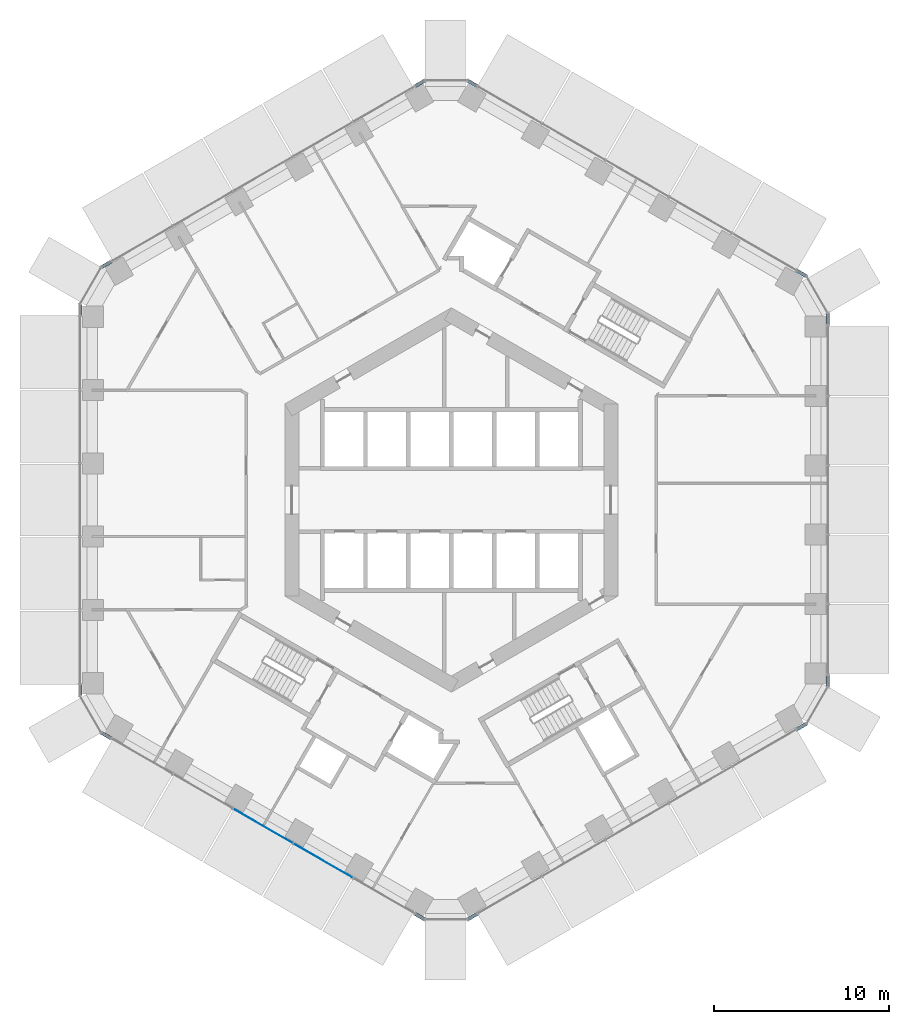
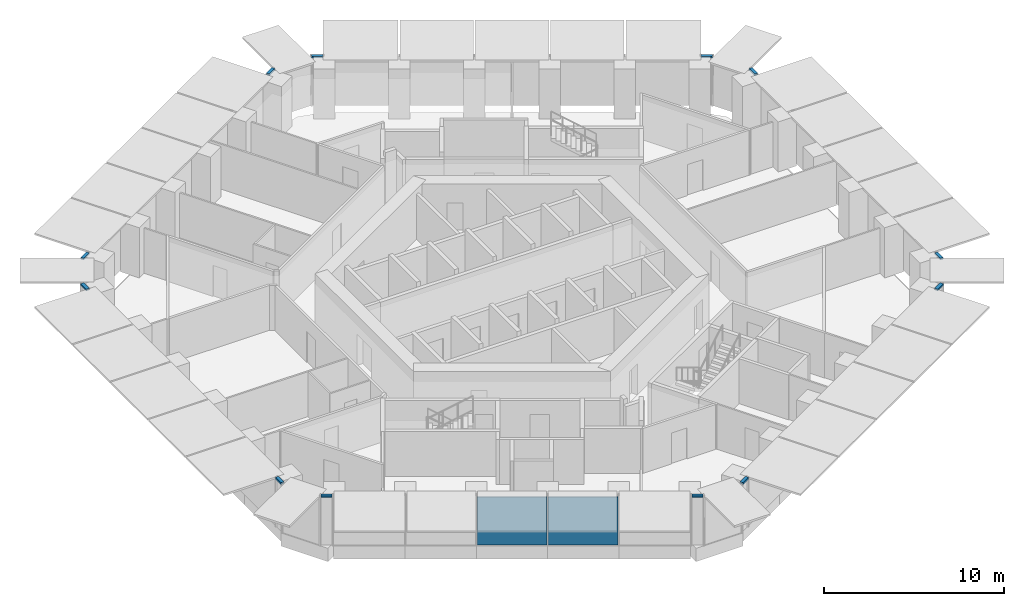
# One storey, part 7 of 19: 12 members, 2 plates, 7 elements without a shape of their own.
"""IFC4 building model written with IfcOpenShell, lengths in metres."""

from ifc_helpers import new_model, si_unit, direction, frame, origin, origin_2d, place, context, subcontext, project, spatial, rectangle, extrude, material, layer, layer_set, material_profile, profile_set, type_object, element, aggregate, save


model = new_model("IFC4")

# Units and contexts
model_context = context("Model", 3, precision=1e-05, world=origin(), true_north=direction((0.0, 1.0)))
body_context = subcontext(model_context, "Body", "Model", "MODEL_VIEW")
ifc_project = project(units=[si_unit("LENGTHUNIT", "METRE"), si_unit("AREAUNIT", "SQUARE_METRE"), si_unit("VOLUMEUNIT", "CUBIC_METRE"), si_unit("PLANEANGLEUNIT", "RADIAN"), si_unit("MASSUNIT", "GRAM", prefix="KILO")], contexts=[model_context])

# Site, building, storey
site_placement = place(None, origin())
site = spatial("IfcSite", under=ifc_project, at=site_placement, CompositionType="ELEMENT")
building_placement = place(site_placement, origin())
building = spatial("IfcBuilding", under=site, at=building_placement, Name="Ayvan Gate Tower", CompositionType="ELEMENT")
storey_placement = place(building_placement, frame((0.0, 0.0, 42.5)))
storey = spatial("IfcBuildingStorey", under=building, at=storey_placement, Name="L10", CompositionType="ELEMENT", Elevation=42.5)

# Curtain wall, members
ifc_material_1 = material(Name="Bronze anodised aluminium", Category="aluminium")
ifc_layer_1 = layer(ifc_material_1, 0.199951171875)
ifc_layer_set_1 = layer_set([ifc_layer_1], Name="Bronze anodised aluminium")
curtain_wall_type_1 = type_object("IfcCurtainWallType", Name="Stick curtain wall CW-6", PredefinedType="NOTDEFINED", material=ifc_layer_set_1)
curtain_wall_1_placement = place(storey_placement, origin())
curtain_wall_1 = element("IfcCurtainWall", 1, at=curtain_wall_1_placement, inside=storey, type_object=curtain_wall_type_1, Name="Stick curtain wall CW-6 L10", PredefinedType="NOTDEFINED")
ifc_material_profile = material_profile(ifc_material_1, rectangle(XDim=0.199951171875, YDim=0.1201171875, at=origin_2d()), Name="Stick curtain wall CW-6 transom 200 x 120")
ifc_profile_set = profile_set([ifc_material_profile], Name="Bronze anodised aluminium")
member_type = type_object("IfcMemberType", Name="Stick curtain wall CW-6 transom 200 x 120", PredefinedType="USERDEFINED", material=ifc_profile_set)
member_1_placement = place(storey_placement, frame((-19.417724609375, 13.597412109375, 3.340087890625), z_axis=(-0.866022959057, -0.500004234368, 0.0), x_axis=(0.500004234368, -0.866022959057, 0.0)))
member_1 = element("IfcMember", 2, at=member_1_placement, type_object=member_type, Name="CW-6 transom 1", ObjectType="TRANSOM", PredefinedType="USERDEFINED", context=body_context, shape_type="SweptSolid", body=[
    extrude(rectangle(XDim=0.199951171875, YDim=0.1201171875, at=origin_2d()), origin(), (0.0, 0.0, 1.0), 0.625),
])
member_2_placement = place(storey_placement, frame((-21.18798828125, 11.156494140625, 3.340087890625), z_axis=(0.0, -1.0, 0.0), x_axis=(1.0, 0.0, 0.0)))
member_2 = element("IfcMember", 3, at=member_2_placement, type_object=member_type, Name="CW-6 transom 2", ObjectType="TRANSOM", PredefinedType="USERDEFINED", context=body_context, shape_type="SweptSolid", body=[
    extrude(rectangle(XDim=0.199951171875, YDim=0.1201171875, at=origin_2d()), origin(), (0.0, 0.0, 1.0), 0.625),
])
aggregate(curtain_wall_1, [member_1, member_2])

curtain_wall_2_placement = place(storey_placement, origin())
curtain_wall_2 = element("IfcCurtainWall", 4, at=curtain_wall_2_placement, inside=storey, type_object=curtain_wall_type_1, Name="Stick curtain wall CW-6 L10", PredefinedType="NOTDEFINED")
member_3_placement = place(storey_placement, frame((-21.18798828125, -10.531494140625, 3.340087890625), z_axis=(0.0, -1.0, 0.0), x_axis=(1.0, 0.0, 0.0)))
member_3 = element("IfcMember", 5, at=member_3_placement, type_object=member_type, Name="CW-6 transom 1", ObjectType="TRANSOM", PredefinedType="USERDEFINED", context=body_context, shape_type="SweptSolid", body=[
    extrude(rectangle(XDim=0.199951171875, YDim=0.1201171875, at=origin_2d()), origin(), (0.0, 0.0, 1.0), 0.625),
])
member_4_placement = place(storey_placement, frame((-19.958984375, -13.284912109375, 3.340087890625), z_axis=(0.866022959057, -0.500004234368, 0.0), x_axis=(0.500004234368, 0.866022959057, 0.0)))
member_4 = element("IfcMember", 6, at=member_4_placement, type_object=member_type, Name="CW-6 transom 2", ObjectType="TRANSOM", PredefinedType="USERDEFINED", context=body_context, shape_type="SweptSolid", body=[
    extrude(rectangle(XDim=0.199951171875, YDim=0.1201171875, at=origin_2d()), origin(), (0.0, 0.0, 1.0), 0.625),
])
aggregate(curtain_wall_2, [member_3, member_4])

curtain_wall_3_placement = place(storey_placement, origin())
curtain_wall_3 = element("IfcCurtainWall", 7, at=curtain_wall_3_placement, inside=storey, type_object=curtain_wall_type_1, Name="Stick curtain wall CW-6 L10", PredefinedType="NOTDEFINED")
member_5_placement = place(storey_placement, frame((-2.06689453125, -23.614990234375, 3.340087890625), z_axis=(0.866022959057, -0.500004234368, 0.0), x_axis=(0.500004234368, 0.866022959057, 0.0)))
member_5 = element("IfcMember", 8, at=member_5_placement, type_object=member_type, Name="CW-6 transom 1", ObjectType="TRANSOM", PredefinedType="USERDEFINED", context=body_context, shape_type="SweptSolid", body=[
    extrude(rectangle(XDim=0.199951171875, YDim=0.1201171875, at=origin_2d()), origin(), (0.0, 0.0, 1.0), 0.625),
])
member_6_placement = place(storey_placement, frame((0.93212890625, -23.927490234375, 3.340087890625), z_axis=(0.866022959057, 0.500004234368, 0.0), x_axis=(-0.500004234368, 0.866022959057, 0.0)))
member_6 = element("IfcMember", 9, at=member_6_placement, type_object=member_type, Name="CW-6 transom 2", ObjectType="TRANSOM", PredefinedType="USERDEFINED", context=body_context, shape_type="SweptSolid", body=[
    extrude(rectangle(XDim=0.199951171875, YDim=0.1201171875, at=origin_2d()), origin(), (0.0, 0.0, 1.0), 0.625),
])
aggregate(curtain_wall_3, [member_5, member_6])

curtain_wall_4_placement = place(storey_placement, origin())
curtain_wall_4 = element("IfcCurtainWall", 10, at=curtain_wall_4_placement, inside=storey, type_object=curtain_wall_type_1, Name="Stick curtain wall CW-6 L10", PredefinedType="NOTDEFINED")
member_7_placement = place(storey_placement, frame((19.71435546875, -13.08349609375, 3.340087890625), z_axis=(0.866022959057, 0.500004234368, 0.0), x_axis=(-0.500004234368, 0.866022959057, 0.0)))
member_7 = element("IfcMember", 11, at=member_7_placement, type_object=member_type, Name="CW-6 transom 1", ObjectType="TRANSOM", PredefinedType="USERDEFINED", context=body_context, shape_type="SweptSolid", body=[
    extrude(rectangle(XDim=0.199951171875, YDim=0.1201171875, at=origin_2d()), origin(), (0.0, 0.0, 1.0), 0.625),
])
member_8_placement = place(storey_placement, frame((21.484619140625, -10.642578125, 3.340087890625), z_axis=(0.0, 1.0, 0.0), x_axis=(-1.0, 0.0, 0.0)))
member_8 = element("IfcMember", 12, at=member_8_placement, type_object=member_type, Name="CW-6 transom 2", ObjectType="TRANSOM", PredefinedType="USERDEFINED", context=body_context, shape_type="SweptSolid", body=[
    extrude(rectangle(XDim=0.199951171875, YDim=0.1201171875, at=origin_2d()), origin(), (0.0, 0.0, 1.0), 0.625),
])
aggregate(curtain_wall_4, [member_7, member_8])

curtain_wall_5_placement = place(storey_placement, origin())
curtain_wall_5 = element("IfcCurtainWall", 13, at=curtain_wall_5_placement, inside=storey, type_object=curtain_wall_type_1, Name="Stick curtain wall CW-6 L10", PredefinedType="NOTDEFINED")
member_9_placement = place(storey_placement, frame((21.484619140625, 10.017578125, 3.340087890625), z_axis=(0.0, 1.0, 0.0), x_axis=(-1.0, 0.0, 0.0)))
member_9 = element("IfcMember", 14, at=member_9_placement, type_object=member_type, Name="CW-6 transom 1", ObjectType="TRANSOM", PredefinedType="USERDEFINED", context=body_context, shape_type="SweptSolid", body=[
    extrude(rectangle(XDim=0.199951171875, YDim=0.1201171875, at=origin_2d()), origin(), (0.0, 0.0, 1.0), 0.625),
])
member_10_placement = place(storey_placement, frame((20.255615234375, 12.77099609375, 3.340087890625), z_axis=(-0.866022959057, 0.500004234368, 0.0), x_axis=(-0.500004234368, -0.866022959057, 0.0)))
member_10 = element("IfcMember", 15, at=member_10_placement, type_object=member_type, Name="CW-6 transom 2", ObjectType="TRANSOM", PredefinedType="USERDEFINED", context=body_context, shape_type="SweptSolid", body=[
    extrude(rectangle(XDim=0.199951171875, YDim=0.1201171875, at=origin_2d()), origin(), (0.0, 0.0, 1.0), 0.625),
])
aggregate(curtain_wall_5, [member_9, member_10])

curtain_wall_6_placement = place(storey_placement, origin())
curtain_wall_6 = element("IfcCurtainWall", 16, at=curtain_wall_6_placement, inside=storey, type_object=curtain_wall_type_1, Name="Stick curtain wall CW-6 L10", PredefinedType="NOTDEFINED")
member_11_placement = place(storey_placement, frame((1.473388671875, 23.614990234375, 3.340087890625), z_axis=(-0.866022959057, 0.500004234368, 0.0), x_axis=(-0.500004234368, -0.866022959057, 0.0)))
member_11 = element("IfcMember", 17, at=member_11_placement, type_object=member_type, Name="CW-6 transom 1", ObjectType="TRANSOM", PredefinedType="USERDEFINED", context=body_context, shape_type="SweptSolid", body=[
    extrude(rectangle(XDim=0.199951171875, YDim=0.1201171875, at=origin_2d()), origin(), (0.0, 0.0, 1.0), 0.625),
])
member_12_placement = place(storey_placement, frame((-1.525634765625, 23.927490234375, 3.340087890625), z_axis=(-0.866022959057, -0.500004234368, 0.0), x_axis=(0.500004234368, -0.866022959057, 0.0)))
member_12 = element("IfcMember", 18, at=member_12_placement, type_object=member_type, Name="CW-6 transom 2", ObjectType="TRANSOM", PredefinedType="USERDEFINED", context=body_context, shape_type="SweptSolid", body=[
    extrude(rectangle(XDim=0.199951171875, YDim=0.1201171875, at=origin_2d()), origin(), (0.0, 0.0, 1.0), 0.625),
])
aggregate(curtain_wall_6, [member_11, member_12])

# Curtain wall, plates
ifc_layer_2 = layer(ifc_material_1, 0.199951171875)
ifc_layer_set_2 = layer_set([ifc_layer_2], Name="Bronze anodised aluminium")
curtain_wall_type_2 = type_object("IfcCurtainWallType", Name="Stick curtain wall CW-1", PredefinedType="NOTDEFINED", material=ifc_layer_set_2)
curtain_wall_7_placement = place(storey_placement, origin())
curtain_wall_7 = element("IfcCurtainWall", 19, at=curtain_wall_7_placement, inside=storey, type_object=curtain_wall_type_2, Name="Stick curtain wall CW-1 L10", PredefinedType="NOTDEFINED")
ifc_material_2 = material(Name="Clear low-iron laminated glass", Category="glass")
ifc_layer_3 = layer(ifc_material_2, 0.028076171875)
ifc_layer_set_3 = layer_set([ifc_layer_3], Name="Clear low-iron laminated glass")
plate_type = type_object("IfcPlateType", Name="Stick curtain wall CW-1 glass panel", PredefinedType="CURTAIN_PANEL", material=ifc_layer_set_3)
plate_1_placement = place(storey_placement, frame((-10.7421875, -18.606201171875, 0.0), z_axis=(0.0, 0.0, 1.0), x_axis=(0.866025403784, -0.5, 0.0)))
plate_1 = element("IfcPlate", 20, at=plate_1_placement, type_object=plate_type, Name="CW-1 glass panel 3", PredefinedType="CURTAIN_PANEL", context=body_context, shape_type="SweptSolid", body=[
    extrude(rectangle(XDim=3.89697265625, YDim=0.028076171875, at=origin_2d()), origin(), (0.0, 0.0, 1.0), 3.280029296875),
])
plate_2_placement = place(storey_placement, frame((-7.31591796875, -20.58447265625, 0.0), z_axis=(0.0, 0.0, 1.0), x_axis=(0.866025403784, -0.5, 0.0)))
plate_2 = element("IfcPlate", 21, at=plate_2_placement, type_object=plate_type, Name="CW-1 glass panel 4", PredefinedType="CURTAIN_PANEL", context=body_context, shape_type="SweptSolid", body=[
    extrude(rectangle(XDim=3.89599609375, YDim=0.028076171875, at=origin_2d()), origin(), (0.0, 0.0, 1.0), 3.280029296875),
])
aggregate(curtain_wall_7, [plate_1, plate_2])

save(model, "model.ifc")
